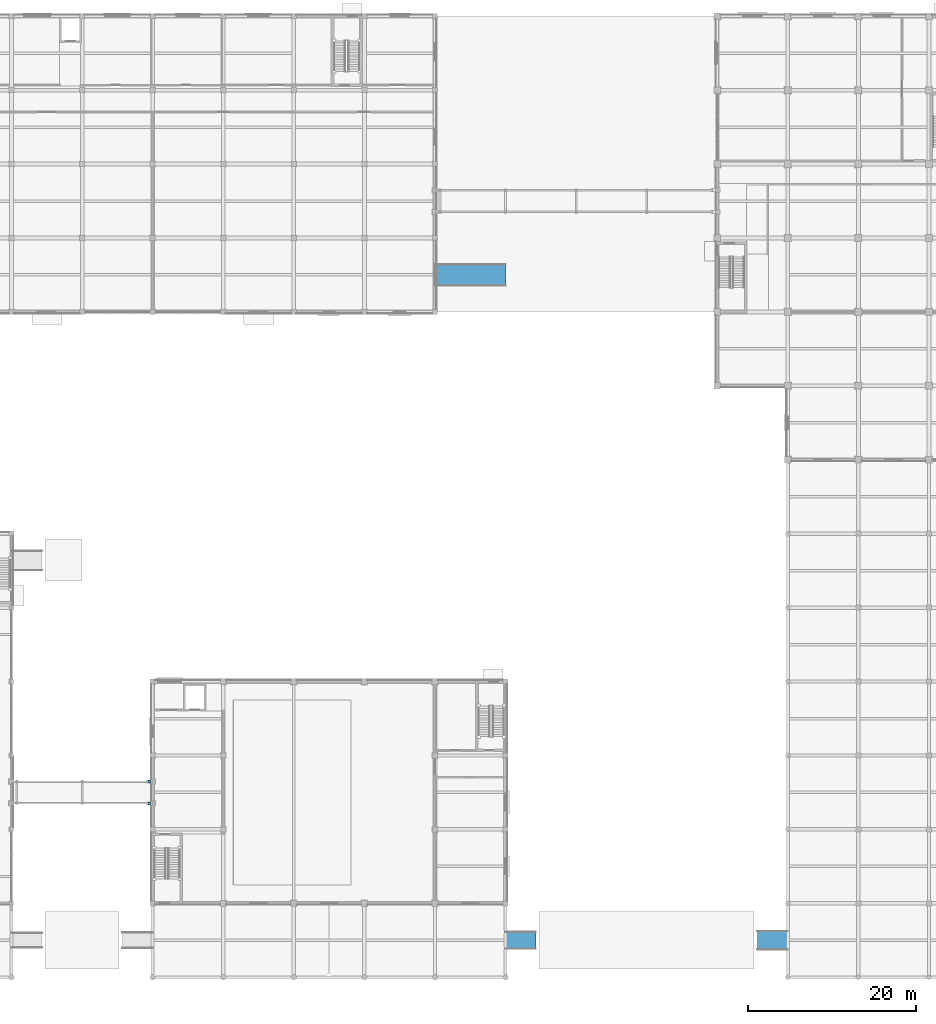
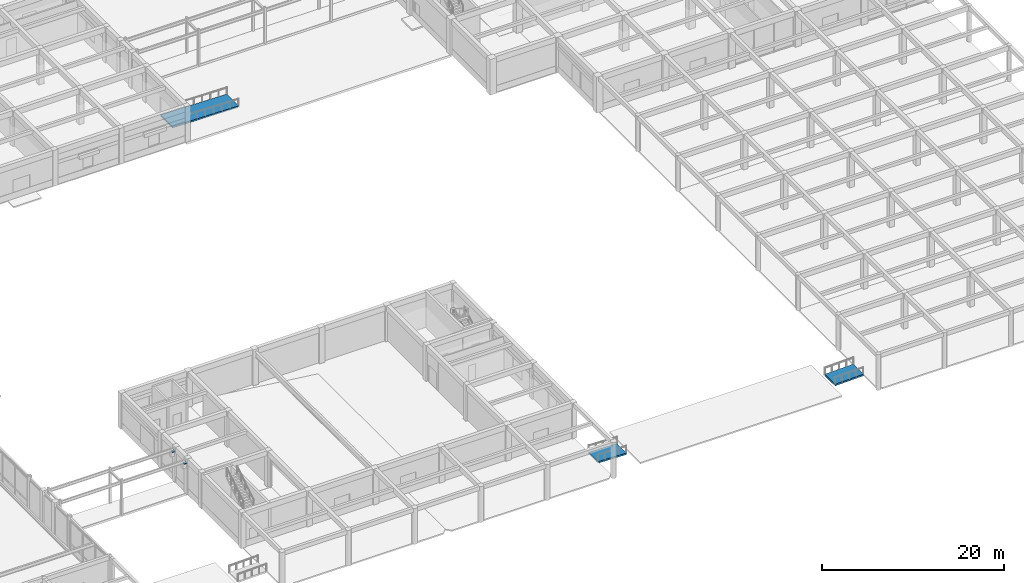
# One storey, part 41 of 58: 3 ramp flights, 2 discrete accessories, 3 elements without a shape of their own.
"""IFC4 building model written with IfcOpenShell, lengths in metres."""

from ifc_helpers import new_model, si_unit, direction, frame, origin, origin_2d, place, context, subcontext, project, spatial, polyline, rectangle, outline, extrude, material, layer, layer_set, type_object, element, aggregate, save


model = new_model("IFC4")

# Units and contexts
model_context = context("Model", 3, precision=1e-05, world=origin(), true_north=direction((0.0, 1.0)))
body_context = subcontext(model_context, "Body", "Model", "MODEL_VIEW")
ifc_project = project(units=[si_unit("LENGTHUNIT", "METRE"), si_unit("AREAUNIT", "SQUARE_METRE"), si_unit("VOLUMEUNIT", "CUBIC_METRE"), si_unit("PLANEANGLEUNIT", "RADIAN"), si_unit("MASSUNIT", "GRAM", prefix="KILO")], contexts=[model_context])

# Site, building, storey
site_placement = place(None, origin())
site = spatial("IfcSite", under=ifc_project, at=site_placement, CompositionType="ELEMENT")
building_placement = place(site_placement, origin())
building = spatial("IfcBuilding", under=site, at=building_placement, Name="Kemercrest Conservatory and Botanical Centre", CompositionType="ELEMENT")
storey_placement = place(building_placement, origin())
storey = spatial("IfcBuildingStorey", under=building, at=storey_placement, Name="L00", CompositionType="ELEMENT", Elevation=0.0)

# Ramp, ramp flight
ifc_material_1 = material(Name="Precast concrete C40/50", Category="concrete")
ramp_type_1 = type_object("IfcRampType", Name="RM-ACC03", PredefinedType="USERDEFINED", material=ifc_material_1)
ramp_1_placement = place(storey_placement, origin())
ramp_1 = element("IfcRamp", 1, at=ramp_1_placement, inside=storey, type_object=ramp_type_1, Name="Accessible promenade ramp AR-03", ObjectType="ACCESSIBLE RAMP", PredefinedType="USERDEFINED")
ifc_layer_1 = layer(ifc_material_1, 0.219970703125)
ifc_layer_set_1 = layer_set([ifc_layer_1], Name="Precast concrete C40/50")
ramp_flight_type_1 = type_object("IfcRampFlightType", Name="RF-ACC03", PredefinedType="STRAIGHT", material=ifc_layer_set_1)
ramp_flight_1_placement = place(storey_placement, frame((104.0, 12.39990234375, -0.10009765625), z_axis=(0.0, 0.0, 1.0), x_axis=(-1.0, 0.0, 0.0)))
ramp_flight_1 = element("IfcRampFlight", 2, at=ramp_flight_1_placement, type_object=ramp_flight_type_1, Name="Accessible promenade ramp AR-03 flight", PredefinedType="STRAIGHT", context=body_context, shape_type="SweptSolid", body=[
    extrude(outline(polyline([(0.0, 0.0), (3.60009765625, 0.10009765625), (3.60009765625, -0.119873046875), (0.0, -0.219970703125), (0.0, 0.0)])), frame((0.0, 1.050048828125, 0.0), z_axis=(0.0, -1.0, 0.0), x_axis=(1.0, 0.0, 0.0)), (0.0, 0.0, 1.0), 2.10009765625),
])
aggregate(ramp_1, [ramp_flight_1])

ramp_type_2 = type_object("IfcRampType", Name="RM-ACC04", PredefinedType="USERDEFINED", material=ifc_material_1)
ramp_2_placement = place(storey_placement, origin())
ramp_2 = element("IfcRamp", 3, at=ramp_2_placement, inside=storey, type_object=ramp_type_2, Name="Accessible promenade ramp AR-04", ObjectType="ACCESSIBLE RAMP", PredefinedType="USERDEFINED")
ifc_layer_2 = layer(ifc_material_1, 0.219970703125)
ifc_layer_set_2 = layer_set([ifc_layer_2], Name="Precast concrete C40/50")
ramp_flight_type_2 = type_object("IfcRampFlightType", Name="RF-ACC04", PredefinedType="STRAIGHT", material=ifc_layer_set_2)
ramp_flight_2_placement = place(storey_placement, frame((130.39990234375, 12.39990234375, -0.10009765625), z_axis=(0.0, 0.0, 1.0), x_axis=(1.0, 0.0, 0.0)))
ramp_flight_2 = element("IfcRampFlight", 4, at=ramp_flight_2_placement, type_object=ramp_flight_type_2, Name="Accessible promenade ramp AR-04 flight", PredefinedType="STRAIGHT", context=body_context, shape_type="SweptSolid", body=[
    extrude(outline(polyline([(0.0, 0.0), (3.60009765625, 0.10009765625), (3.60009765625, -0.119873046875), (0.0, -0.219970703125), (0.0, 0.0)])), frame((0.0, 1.125, 0.0), z_axis=(0.0, -1.0, 0.0), x_axis=(1.0, 0.0, 0.0)), (0.0, 0.0, 1.0), 2.25),
])
aggregate(ramp_2, [ramp_flight_2])

ramp_type_3 = type_object("IfcRampType", Name="RM-ACC06", PredefinedType="USERDEFINED", material=ifc_material_1)
ramp_3_placement = place(storey_placement, origin())
ramp_3 = element("IfcRamp", 5, at=ramp_3_placement, inside=storey, type_object=ramp_type_3, Name="Accessible promenade ramp AR-06", ObjectType="ACCESSIBLE RAMP", PredefinedType="USERDEFINED")
ifc_layer_3 = layer(ifc_material_1, 0.219970703125)
ifc_layer_set_3 = layer_set([ifc_layer_3], Name="Precast concrete C40/50")
ramp_flight_type_3 = type_object("IfcRampFlightType", Name="RF-ACC06", PredefinedType="STRAIGHT", material=ifc_layer_set_3)
ramp_flight_3_placement = place(storey_placement, frame((100.39990234375, 91.60009765625, -0.179931640625), z_axis=(0.0, 0.0, 1.0), x_axis=(-1.0, 0.0, 0.0)))
ramp_flight_3 = element("IfcRampFlight", 6, at=ramp_flight_3_placement, type_object=ramp_flight_type_3, Name="Accessible promenade ramp AR-06 flight", PredefinedType="STRAIGHT", context=body_context, shape_type="SweptSolid", body=[
    extrude(outline(polyline([(0.0, 0.0), (8.39990234375, 0.179931640625), (8.39990234375, -0.0400390625), (0.0, -0.219970703125), (0.0, 0.0)])), frame((0.0, 1.300048828125, 0.0), z_axis=(0.0, -1.0, 0.0), x_axis=(1.0, 0.0, 0.0)), (0.0, 0.0, 1.0), 2.60009765625),
])
aggregate(ramp_3, [ramp_flight_3])

# Discrete accessories
ifc_material_2 = material(Name="Stainless steel and PTFE elastomeric sliding bearing", Category="steel")
discrete_accessory_type = type_object("IfcDiscreteAccessoryType", Name="SB1", PredefinedType="BRACKET", material=ifc_material_2)
for number, where, z_axis, x_axis, name in (
    (7, (58.02490234375, 28.699951171875, 4.093017578125), (0.0, 0.0, 1.0), (1.0, 0.0, 0.0), "Seismic link bridge bearing SB1 SJ-1"),
    (8, (58.02490234375, 31.300048828125, 4.093017578125), (0.0, 0.0, 1.0), (1.0, 0.0, 0.0), "Seismic link bridge bearing SB1 SJ-1"),
):
    element("IfcDiscreteAccessory", number, at=place(storey_placement, frame(where, z_axis=z_axis, x_axis=x_axis)), inside=storey, type_object=discrete_accessory_type, Name=name, PredefinedType="BRACKET", context=body_context, shape_type="SweptSolid", body=[
        extrude(rectangle(XDim=0.3798828125, YDim=0.3798828125, at=origin_2d()), origin(), (0.0, 0.0, 1.0), 0.080078125),
    ])

save(model, "model.ifc")
